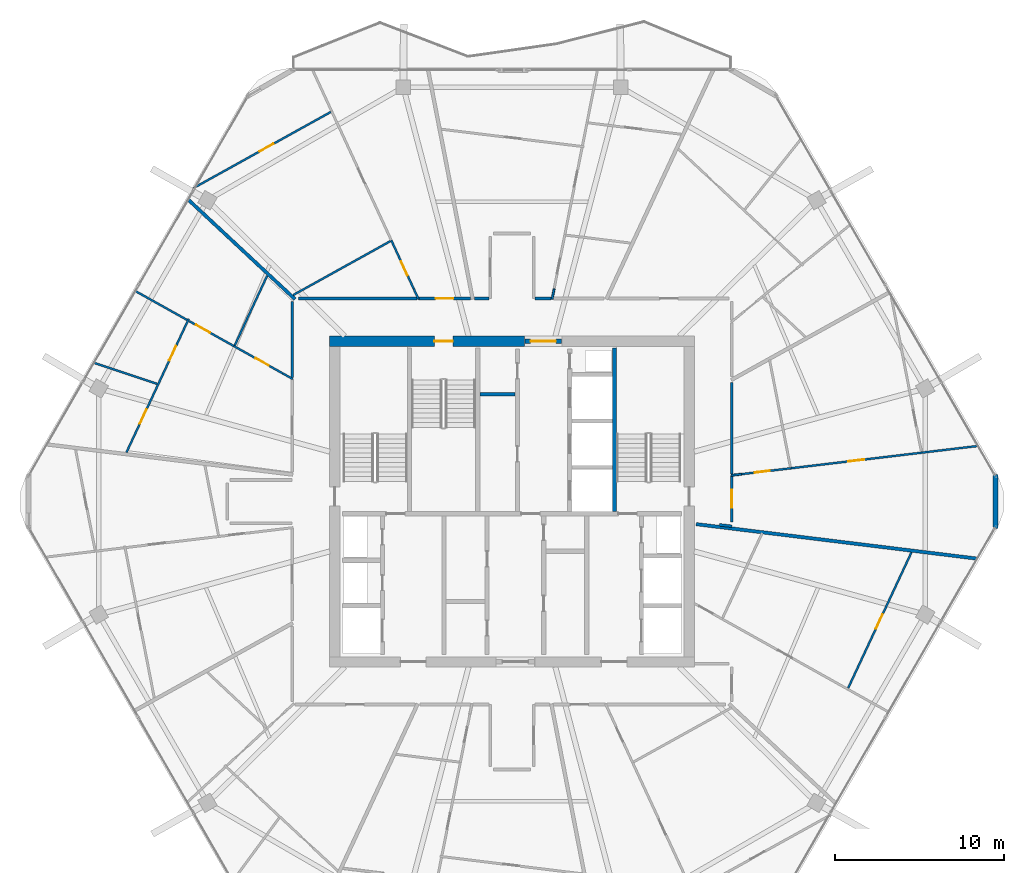
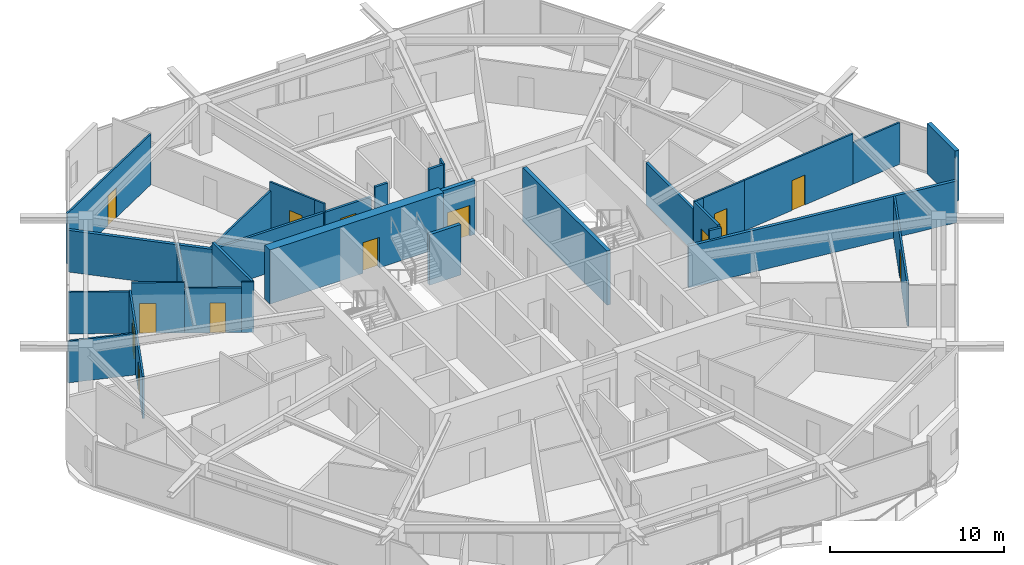
# One storey, part 22 of 27: 32 walls, 13 doors, 13 openings.
"""IFC4 building model written with IfcOpenShell, lengths in metres."""

from ifc_helpers import new_model, si_unit, direction, frame, frame_2d, origin, place, context, subcontext, project, spatial, rectangle, extrude, material, layer, layer_set, type_object, element, fill, save


model = new_model("IFC4")

# Units and contexts
model_context = context("Model", 3, precision=1e-05, world=origin(), true_north=direction((0.0, 1.0)))
body_context = subcontext(model_context, "Body", "Model", "MODEL_VIEW")
ifc_project = project(units=[si_unit("LENGTHUNIT", "METRE"), si_unit("AREAUNIT", "SQUARE_METRE"), si_unit("VOLUMEUNIT", "CUBIC_METRE"), si_unit("PLANEANGLEUNIT", "RADIAN"), si_unit("MASSUNIT", "GRAM", prefix="KILO")], contexts=[model_context])

# Site, building, storey
site_placement = place(None, origin())
site = spatial("IfcSite", under=ifc_project, at=site_placement, CompositionType="ELEMENT")
building_placement = place(site_placement, origin())
building = spatial("IfcBuilding", under=site, at=building_placement, Name="Zuhravey Tower", CompositionType="ELEMENT")
storey_placement = place(building_placement, frame((0.0, 0.0, 265.39990234375)))
storey = spatial("IfcBuildingStorey", under=building, at=storey_placement, Name="L67", CompositionType="ELEMENT", Elevation=265.39990234375)

# Wall, opening, door
ifc_material_1 = material(Name="Concrete C50/60", Category="concrete")
ifc_layer_1 = layer(ifc_material_1, 0.60009765625)
ifc_layer_set_1 = layer_set([ifc_layer_1], Name="Concrete C50/60")
wall_type_1 = type_object("IfcWallType", Name="Core Shear Wall 600", PredefinedType="SHEAR", material=ifc_layer_set_1)
wall_1_placement = place(storey_placement, frame((36.75, 41.5, 0.0), z_axis=(0.0, 0.0, 1.0), x_axis=(-1.0, 0.0, 0.0)))
wall_1 = element("IfcWall", 1, at=wall_1_placement, inside=storey, type_object=wall_type_1, Name="L67 North-West Core Shear Wall CW60", PredefinedType="SHEAR", context=body_context, shape_type="SweptSolid", body=[
    extrude(rectangle(XDim=11.550048828125, YDim=0.60009765625, at=frame_2d((5.77490234375, 0.0))), origin(), (0.0, 0.0, 1.0), 3.800048828125),
])
opening_1_placement = place(wall_1_placement, frame((4.25, 0.0, 0.0)))
opening_1 = element("IfcOpeningElement", 2, at=opening_1_placement, cuts=wall_1, Name="Opening STD1", PredefinedType="OPENING", context=body_context, shape_type="SweptSolid", body=[
    extrude(rectangle(XDim=1.10009765625, YDim=2.14990234375, at=frame_2d((0.550048828125, 1.074951171875))), frame((0.0, 0.31201171875, 0.0), z_axis=(0.0, -1.0, 0.0), x_axis=(1.0, 0.0, 0.0)), (0.0, 0.0, 1.0), 0.6240234375),
])
ifc_material_2 = material(Name="Galvanised fire-rated steel leaf", Category="steel")
door_type_1 = type_object("IfcDoorType", Name="Protected Stair Fire Door 1100x2150", OperationType="NOTDEFINED", PredefinedType="USERDEFINED", material=ifc_material_2)
door_1_placement = place(opening_1_placement, origin())
door_1 = element("IfcDoor", 3, at=door_1_placement, inside=storey, type_object=door_type_1, Name="L67 Stair ST3 Door", ObjectType="EXITDOOR", OperationType="SINGLE_SWING_RIGHT", OverallHeight=2.14990234375, OverallWidth=1.10009765625, PredefinedType="USERDEFINED", context=body_context, shape_type="SweptSolid", body=[
    extrude(rectangle(XDim=1.10009765625, YDim=2.14990234375, at=frame_2d((0.550048828125, 1.074951171875))), frame((0.0, 0.02490234375, 0.0), z_axis=(0.0, -1.0, 0.0), x_axis=(1.0, 0.0, 0.0)), (0.0, 0.0, 1.0), 0.050048828125),
])
fill(opening_1, door_1)

ifc_material_3 = material(Name="Gypsum fire-rated stud partition")
ifc_layer_2 = layer(ifc_material_3, 0.159912109375)
ifc_layer_set_2 = layer_set([ifc_layer_2], Name="Gypsum fire-rated stud partition")
wall_type_2 = type_object("IfcWallType", Name="Corridor Fire Partition 160", PredefinedType="PARTITIONING", material=ifc_layer_set_2)
wall_2_placement = place(storey_placement, frame((49.030029296875, 30.800048828125, 0.0), z_axis=(0.0, 0.0, 1.0), x_axis=(0.0, 1.0, 0.0)))
wall_2 = element("IfcWall", 4, at=wall_2_placement, inside=storey, type_object=wall_type_2, Name="L67 IW16 Partition 054", PredefinedType="PARTITIONING", context=body_context, shape_type="SweptSolid", body=[
    extrude(rectangle(XDim=2.733642578125, YDim=0.159912109375, at=frame_2d((1.36669921875, 0.0))), origin(), (0.0, 0.0, 1.0), 3.550048828125),
])
opening_2_placement = place(wall_2_placement, frame((0.841796875, 0.0, 0.0)))
opening_2 = element("IfcOpeningElement", 5, at=opening_2_placement, cuts=wall_2, Name="Opening APD1", PredefinedType="OPENING", context=body_context, shape_type="SweptSolid", body=[
    extrude(rectangle(XDim=1.050048828125, YDim=2.14990234375, at=frame_2d((0.52490234375, 1.074951171875))), frame((0.0, 0.092041015625, 0.0), z_axis=(0.0, -1.0, 0.0), x_axis=(1.0, 0.0, 0.0)), (0.0, 0.0, 1.0), 0.183837890625),
])
ifc_material_4 = material(Name="Solid-core oak fire-rated leaf")
door_type_2 = type_object("IfcDoorType", Name="Apartment Entrance Fire Door 1050x2150", OperationType="NOTDEFINED", PredefinedType="DOOR", material=ifc_material_4)
door_2_placement = place(opening_2_placement, frame((1.050048828125, 0.0, 0.0), z_axis=(0.0, 0.0, 1.0), x_axis=(-1.0, 0.0, 0.0)))
door_2 = element("IfcDoor", 6, at=door_2_placement, inside=storey, type_object=door_type_2, Name="L67 Door 054.1", OperationType="SINGLE_SWING_LEFT", OverallHeight=2.14990234375, OverallWidth=1.050048828125, PredefinedType="DOOR", context=body_context, shape_type="SweptSolid", body=[
    extrude(rectangle(XDim=1.050048828125, YDim=2.14990234375, at=frame_2d((0.52490234375, 1.074951171875))), frame((0.0, 0.02490234375, 0.0), z_axis=(0.0, -1.0, 0.0), x_axis=(1.0, 0.0, 0.0)), (0.0, 0.0, 1.0), 0.050048828125),
])
fill(opening_2, door_2)

wall_3_placement = place(storey_placement, frame((33.531982421875, 44.030029296875, 0.0), z_axis=(0.0, 0.0, 1.0), x_axis=(-1.0, 0.0, 0.0)))
wall_3 = element("IfcWall", 7, at=wall_3_placement, inside=storey, type_object=wall_type_2, Name="L67 IW16 Partition 069", PredefinedType="PARTITIONING", context=body_context, shape_type="SweptSolid", body=[
    extrude(rectangle(XDim=3.068603515625, YDim=0.159912109375, at=frame_2d((1.5341796875, 0.0))), origin(), (0.0, 0.0, 1.0), 2.9501953125),
])
opening_3_placement = place(wall_3_placement, frame((1.00927734375, 0.0, 0.0)))
opening_3 = element("IfcOpeningElement", 8, at=opening_3_placement, cuts=wall_3, Name="Opening APD1", PredefinedType="OPENING", context=body_context, shape_type="SweptSolid", body=[
    extrude(rectangle(XDim=1.050048828125, YDim=2.14990234375, at=frame_2d((0.52490234375, 1.074951171875))), frame((0.0, 0.092041015625, 0.0), z_axis=(0.0, -1.0, 0.0), x_axis=(1.0, 0.0, 0.0)), (0.0, 0.0, 1.0), 0.183837890625),
])
door_3_placement = place(opening_3_placement, frame((1.050048828125, 0.0, 0.0), z_axis=(0.0, 0.0, 1.0), x_axis=(-1.0, 0.0, 0.0)))
door_3 = element("IfcDoor", 9, at=door_3_placement, inside=storey, type_object=door_type_2, Name="L67 Door 069.1", OperationType="SINGLE_SWING_LEFT", OverallHeight=2.14990234375, OverallWidth=1.050048828125, PredefinedType="DOOR", context=body_context, shape_type="SweptSolid", body=[
    extrude(rectangle(XDim=1.050048828125, YDim=2.14990234375, at=frame_2d((0.52490234375, 1.074951171875))), frame((0.0, 0.02490234375, 0.0), z_axis=(0.0, -1.0, 0.0), x_axis=(1.0, 0.0, 0.0)), (0.0, 0.0, 1.0), 0.050048828125),
])
fill(opening_3, door_3)

# Walls
wall_4_placement = place(storey_placement, frame((22.969970703125, 43.85009765625, 0.0), z_axis=(0.0, 0.0, 1.0), x_axis=(0.0, -1.0, 0.0)))
element("IfcWall", 10, at=wall_4_placement, inside=storey, type_object=wall_type_2, Name="L67 IW16 Partition 113", PredefinedType="PARTITIONING", context=body_context, shape_type="SweptSolid", body=[
    extrude(rectangle(XDim=4.489990234375, YDim=0.159912109375, at=frame_2d((2.2451171875, 0.0))), origin(), (0.0, 0.0, 1.0), 3.550048828125),
])
wall_5_placement = place(storey_placement, frame((49.030029296875, 30.53564453125, 0.0), z_axis=(0.0, 0.0, 1.0), x_axis=(-0.993568487463, 0.113232772287, 0.0)))
element("IfcWall", 11, at=wall_5_placement, inside=storey, type_object=wall_type_2, Name="L67 IW16 Partition 125", PredefinedType="PARTITIONING", context=body_context, shape_type="SweptSolid", body=[
    extrude(rectangle(XDim=0.74609375, YDim=0.159912109375, at=frame_2d((0.373046875, 0.0))), origin(), (0.0, 0.0, 1.0), 3.550048828125),
])
wall_6_placement = place(storey_placement, frame((49.030029296875, 33.622314453125, 0.0), z_axis=(0.0, 0.0, 1.0), x_axis=(0.0, 1.0, 0.0)))
element("IfcWall", 12, at=wall_6_placement, inside=storey, type_object=wall_type_2, Name="L67 IW16 Partition 126", PredefinedType="PARTITIONING", context=body_context, shape_type="SweptSolid", body=[
    extrude(rectangle(XDim=5.4296875, YDim=0.159912109375, at=frame_2d((2.71484375, 0.0))), origin(), (0.0, 0.0, 1.0), 2.9501953125),
])
wall_7_placement = place(storey_placement, frame((38.312744140625, 44.030029296875, 0.0), z_axis=(0.0, 0.0, 1.0), x_axis=(-1.0, 0.0, 0.0)))
element("IfcWall", 13, at=wall_7_placement, inside=storey, type_object=wall_type_2, Name="L67 IW16 Partition 131", PredefinedType="PARTITIONING", context=body_context, shape_type="SweptSolid", body=[
    extrude(rectangle(XDim=0.94482421875, YDim=0.159912109375, at=frame_2d((0.472412109375, 0.0))), origin(), (0.0, 0.0, 1.0), 3.550048828125),
])
wall_8_placement = place(storey_placement, frame((34.632080078125, 44.030029296875, 0.0), z_axis=(0.0, 0.0, 1.0), x_axis=(-1.0, 0.0, 0.0)))
element("IfcWall", 14, at=wall_8_placement, inside=storey, type_object=wall_type_2, Name="L67 IW16 Partition 132", PredefinedType="PARTITIONING", context=body_context, shape_type="SweptSolid", body=[
    extrude(rectangle(XDim=0.84130859375, YDim=0.159912109375, at=frame_2d((0.420654296875, 0.0))), origin(), (0.0, 0.0, 1.0), 3.550048828125),
])
wall_9_placement = place(storey_placement, frame((30.366455078125, 44.030029296875, 0.0), z_axis=(0.0, 0.0, 1.0), x_axis=(-1.0, 0.0, 0.0)))
element("IfcWall", 15, at=wall_9_placement, inside=storey, type_object=wall_type_2, Name="L67 IW16 Partition 134", PredefinedType="PARTITIONING", context=body_context, shape_type="SweptSolid", body=[
    extrude(rectangle(XDim=7.014404296875, YDim=0.159912109375, at=frame_2d((3.50732421875, 0.0))), origin(), (0.0, 0.0, 1.0), 2.9501953125),
])
ifc_material_5 = material(Name="Precast concrete C40/50", Category="concrete")
ifc_layer_3 = layer(ifc_material_5, 0.280029296875)
ifc_layer_set_3 = layer_set([ifc_layer_3], Name="Precast concrete C40/50")
wall_type_3 = type_object("IfcWallType", Name="Crown Architectural Wall 280", PredefinedType="SOLIDWALL", material=ifc_layer_set_3)
wall_10_placement = place(storey_placement, frame((64.64501953125, 33.607421875, 0.0), z_axis=(0.0, 0.0, 1.0), x_axis=(0.0, -1.0, 0.0)))
element("IfcWall", 16, at=wall_10_placement, inside=storey, type_object=wall_type_3, Name="L67 Rounded Corner Closure Wall EW28-12", PredefinedType="SOLIDWALL", context=body_context, shape_type="SweptSolid", body=[
    extrude(rectangle(XDim=3.21484375, YDim=0.280029296875, at=frame_2d((1.607421875, 0.0))), origin(), (0.0, 0.0, 1.0), 3.550048828125),
])

# Wall, opening, door
ifc_layer_4 = layer(ifc_material_1, 0.25)
ifc_layer_set_4 = layer_set([ifc_layer_4], Name="Concrete C50/60")
wall_type_4 = type_object("IfcWallType", Name="Firefighting Shaft & Stair Wall 250", PredefinedType="SOLIDWALL", material=ifc_layer_set_4)
wall_11_placement = place(storey_placement, frame((36.760009765625, 41.5, 0.0), z_axis=(0.0, 0.0, 1.0), x_axis=(1.0, 0.0, 0.0)))
wall_11 = element("IfcWall", 17, at=wall_11_placement, inside=storey, type_object=wall_type_4, Name="L67 FW25 Shaft Wall 002", PredefinedType="SOLIDWALL", context=body_context, shape_type="SweptSolid", body=[
    extrude(rectangle(XDim=2.179931640625, YDim=0.25, at=frame_2d((1.08984375, 0.0))), origin(), (0.0, 0.0, 1.0), 3.800048828125),
])
opening_4_placement = place(wall_11_placement, frame((0.340087890625, 0.0, 0.0)))
opening_4 = element("IfcOpeningElement", 18, at=opening_4_placement, cuts=wall_11, Name="Opening FFD1", PredefinedType="OPENING", context=body_context, shape_type="SweptSolid", body=[
    extrude(rectangle(XDim=1.5, YDim=2.14990234375, at=frame_2d((0.75, 1.074951171875))), frame((0.0, 0.136962890625, 0.0), z_axis=(0.0, -1.0, 0.0), x_axis=(1.0, 0.0, 0.0)), (0.0, 0.0, 1.0), 0.27392578125),
])
door_type_3 = type_object("IfcDoorType", Name="Firefighting Lobby Double Door 1500x2150", OperationType="DOUBLE_DOOR_SINGLE_SWING", PredefinedType="DOOR", material=ifc_material_2)
door_4_placement = place(opening_4_placement, origin())
door_4 = element("IfcDoor", 19, at=door_4_placement, inside=storey, type_object=door_type_3, Name="L67 North Lift Lobby Exit Door", OperationType="DOUBLE_DOOR_SINGLE_SWING", OverallHeight=2.14990234375, OverallWidth=1.5, PredefinedType="DOOR", context=body_context, shape_type="SweptSolid", body=[
    extrude(rectangle(XDim=1.5, YDim=2.14990234375, at=frame_2d((0.75, 1.074951171875))), frame((0.0, 0.02490234375, 0.0), z_axis=(0.0, -1.0, 0.0), x_axis=(1.0, 0.0, 0.0)), (0.0, 0.0, 1.0), 0.050048828125),
])
fill(opening_4, door_4)

# Walls
wall_12_placement = place(storey_placement, frame((42.074951171875, 31.39990234375, 0.0), z_axis=(0.0, 0.0, 1.0), x_axis=(0.0, 1.0, 0.0)))
element("IfcWall", 20, at=wall_12_placement, inside=storey, type_object=wall_type_4, Name="L67 FW25 Shaft Wall 006", PredefinedType="SOLIDWALL", context=body_context, shape_type="SweptSolid", body=[
    extrude(rectangle(XDim=9.7001953125, YDim=0.25, at=frame_2d((4.85009765625, 0.0))), origin(), (0.0, 0.0, 1.0), 3.800048828125),
])
ifc_material_6 = material(Name="Gypsum double-stud party assembly")
ifc_layer_5 = layer(ifc_material_6, 0.199951171875)
ifc_layer_set_5 = layer_set([ifc_layer_5], Name="Gypsum double-stud party assembly")
wall_type_5 = type_object("IfcWallType", Name="Inter-Tenancy Party Wall 200", PredefinedType="PARTITIONING", material=ifc_layer_set_5)
wall_13_placement = place(storey_placement, frame((23.142578125, 43.989501953125, 0.0), z_axis=(0.0, 0.0, 1.0), x_axis=(-0.731342217011, 0.682010675589, 0.0)))
element("IfcWall", 21, at=wall_13_placement, inside=storey, type_object=wall_type_5, Name="L67 IW20 Partition 074", PredefinedType="PARTITIONING", context=body_context, shape_type="SweptSolid", body=[
    extrude(rectangle(XDim=8.65576171875, YDim=0.199951171875, at=frame_2d((4.327880859375, 0.0))), origin(), (0.0, 0.0, 1.0), 2.93017578125),
])
wall_14_placement = place(storey_placement, frame((46.913330078125, 30.659912109375, 0.0), z_axis=(0.0, 0.0, 1.0), x_axis=(0.992546420308, -0.121867155269, 0.0)))
element("IfcWall", 22, at=wall_14_placement, inside=storey, type_object=wall_type_5, Name="L67 IW20 Partition 097", PredefinedType="PARTITIONING", context=body_context, shape_type="SweptSolid", body=[
    extrude(rectangle(XDim=16.77587890625, YDim=0.199951171875, at=frame_2d((8.387939453125, 0.0))), origin(), (0.0, 0.0, 1.0), 2.93017578125),
])
ifc_material_7 = material(Name="Gypsum acoustic stud assembly")
ifc_layer_6 = layer(ifc_material_7, 0.219970703125)
ifc_layer_set_6 = layer_set([ifc_layer_6], Name="Gypsum acoustic stud assembly")
wall_type_6 = type_object("IfcWallType", Name="School Acoustic Compartment Wall 220", PredefinedType="PARTITIONING", material=ifc_layer_set_6)
wall_15_placement = place(storey_placement, frame((34.10791015625, 38.35009765625, 0.0), z_axis=(0.0, 0.0, 1.0), x_axis=(1.0, 0.0, 0.0)))
element("IfcWall", 23, at=wall_15_placement, inside=storey, type_object=wall_type_6, Name="L67 IW22 Partition 070", PredefinedType="PARTITIONING", context=body_context, shape_type="SweptSolid", body=[
    extrude(rectangle(XDim=2.083984375, YDim=0.219970703125, at=frame_2d((1.0419921875, 0.0))), origin(), (0.0, 0.0, 1.0), 3.550048828125),
])

# Wall, openings, doors
ifc_material_8 = material(Name="Gypsum metal-stud partition")
ifc_layer_7 = layer(ifc_material_8, 0.1201171875)
ifc_layer_set_7 = layer_set([ifc_layer_7], Name="Gypsum metal-stud partition")
wall_type_7 = type_object("IfcWallType", Name="Unit Internal Partition 120", PredefinedType="PARTITIONING", material=ifc_layer_set_7)
wall_16_placement = place(storey_placement, frame((16.843017578125, 42.821044921875, 0.0), z_axis=(0.0, 0.0, 1.0), x_axis=(-0.422622187682, -0.90630595633, 0.0)))
wall_16 = element("IfcWall", 24, at=wall_16_placement, inside=storey, type_object=wall_type_7, Name="L67 IW12 Partition 021", PredefinedType="PARTITIONING", context=body_context, shape_type="SweptSolid", body=[
    extrude(rectangle(XDim=8.732177734375, YDim=0.1201171875, at=frame_2d((4.3662109375, 0.0))), origin(), (0.0, 0.0, 1.0), 2.9501953125),
])
opening_5_placement = place(wall_16_placement, frame((1.780029296875, 0.0, 0.0)))
opening_5 = element("IfcOpeningElement", 25, at=opening_5_placement, cuts=wall_16, Name="Opening IND1", PredefinedType="OPENING", context=body_context, shape_type="SweptSolid", body=[
    extrude(rectangle(XDim=0.949951171875, YDim=2.10009765625, at=frame_2d((0.47509765625, 1.050048828125))), frame((0.0, 0.072021484375, 0.0), z_axis=(0.0, -1.0, 0.0), x_axis=(1.0, 0.0, 0.0)), (0.0, 0.0, 1.0), 0.14404296875),
])
opening_6_placement = place(wall_16_placement, frame((5.905517578125, 0.0, 0.0)))
opening_6 = element("IfcOpeningElement", 26, at=opening_6_placement, cuts=wall_16, Name="Opening IND1", PredefinedType="OPENING", context=body_context, shape_type="SweptSolid", body=[
    extrude(rectangle(XDim=0.949951171875, YDim=2.10009765625, at=frame_2d((0.47509765625, 1.050048828125))), frame((0.0, 0.072021484375, 0.0), z_axis=(0.0, -1.0, 0.0), x_axis=(1.0, 0.0, 0.0)), (0.0, 0.0, 1.0), 0.14404296875),
])
ifc_material_9 = material(Name="Painted engineered timber leaf", Category="wood")
door_type_4 = type_object("IfcDoorType", Name="Internal Room & Bedroom Door 950x2100", OperationType="NOTDEFINED", PredefinedType="DOOR", material=ifc_material_9)
door_5_placement = place(opening_5_placement, frame((0.949951171875, 0.0, 0.0), z_axis=(0.0, 0.0, 1.0), x_axis=(-1.0, 0.0, 0.0)))
door_5 = element("IfcDoor", 27, at=door_5_placement, inside=storey, type_object=door_type_4, Name="Apartment L67-01 Family Study Door", OperationType="SINGLE_SWING_RIGHT", OverallHeight=2.10009765625, OverallWidth=0.949951171875, PredefinedType="DOOR", context=body_context, shape_type="SweptSolid", body=[
    extrude(rectangle(XDim=0.949951171875, YDim=2.10009765625, at=frame_2d((0.47509765625, 1.050048828125))), frame((0.0, 0.02490234375, 0.0), z_axis=(0.0, -1.0, 0.0), x_axis=(1.0, 0.0, 0.0)), (0.0, 0.0, 1.0), 0.050048828125),
])
fill(opening_5, door_5)
door_6_placement = place(opening_6_placement, frame((0.949951171875, 0.0, 0.0), z_axis=(0.0, 0.0, 1.0), x_axis=(-1.0, 0.0, 0.0)))
door_6 = element("IfcDoor", 28, at=door_6_placement, inside=storey, type_object=door_type_4, Name="Apartment L67-01 Dining Room Door", OperationType="SINGLE_SWING_LEFT", OverallHeight=2.10009765625, OverallWidth=0.949951171875, PredefinedType="DOOR", context=body_context, shape_type="SweptSolid", body=[
    extrude(rectangle(XDim=0.949951171875, YDim=2.10009765625, at=frame_2d((0.47509765625, 1.050048828125))), frame((0.0, 0.02490234375, 0.0), z_axis=(0.0, -1.0, 0.0), x_axis=(1.0, 0.0, 0.0)), (0.0, 0.0, 1.0), 0.050048828125),
])
fill(opening_6, door_6)

# Wall, opening, door
wall_17_placement = place(storey_placement, frame((22.39990234375, 39.600830078125, 0.0), z_axis=(0.0, 0.0, 1.0), x_axis=(-0.8729286445, 0.487847908279, 0.0)))
wall_17 = element("IfcWall", 29, at=wall_17_placement, inside=storey, type_object=wall_type_7, Name="L67 IW12 Partition 022", PredefinedType="PARTITIONING", context=body_context, shape_type="SweptSolid", body=[
    extrude(rectangle(XDim=3.29736328125, YDim=0.1201171875, at=frame_2d((1.648681640625, 0.0))), origin(), (0.0, 0.0, 1.0), 3.150146484375),
])
opening_7_placement = place(wall_17_placement, frame((0.934814453125, 0.0, 0.0)))
opening_7 = element("IfcOpeningElement", 30, at=opening_7_placement, cuts=wall_17, Name="Opening WCD1", PredefinedType="OPENING", context=body_context, shape_type="SweptSolid", body=[
    extrude(rectangle(XDim=0.89990234375, YDim=2.10009765625, at=frame_2d((0.449951171875, 1.050048828125))), frame((0.0, 0.072021484375, 0.0), z_axis=(0.0, -1.0, 0.0), x_axis=(1.0, 0.0, 0.0)), (0.0, 0.0, 1.0), 0.14404296875),
])
ifc_material_10 = material(Name="Moisture-resistant timber leaf", Category="wood")
door_type_5 = type_object("IfcDoorType", Name="Bathroom & WC Internal Door 900x2100", OperationType="NOTDEFINED", PredefinedType="DOOR", material=ifc_material_10)
door_7_placement = place(opening_7_placement, frame((0.89990234375, 0.0, 0.0), z_axis=(0.0, 0.0, 1.0), x_axis=(-1.0, 0.0, 0.0)))
door_7 = element("IfcDoor", 31, at=door_7_placement, inside=storey, type_object=door_type_5, Name="Apartment L67-01 Bathroom Door", OperationType="SINGLE_SWING_RIGHT", OverallHeight=2.10009765625, OverallWidth=0.89990234375, PredefinedType="DOOR", context=body_context, shape_type="SweptSolid", body=[
    extrude(rectangle(XDim=0.89990234375, YDim=2.10009765625, at=frame_2d((0.449951171875, 1.050048828125))), frame((0.0, 0.02490234375, 0.0), z_axis=(0.0, -1.0, 0.0), x_axis=(1.0, 0.0, 0.0)), (0.0, 0.0, 1.0), 0.050048828125),
])
fill(opening_7, door_7)

wall_18_placement = place(storey_placement, frame((19.521484375, 41.20947265625, 0.0), z_axis=(0.0, 0.0, 1.0), x_axis=(-0.87290035316, 0.487898527824, 0.0)))
wall_18 = element("IfcWall", 32, at=wall_18_placement, inside=storey, type_object=wall_type_7, Name="L67 IW12 Partition 023", PredefinedType="PARTITIONING", context=body_context, shape_type="SweptSolid", body=[
    extrude(rectangle(XDim=3.048828125, YDim=0.1201171875, at=frame_2d((1.5244140625, 0.0))), origin(), (0.0, 0.0, 1.0), 3.550048828125),
])
opening_8_placement = place(wall_18_placement, frame((1.6328125, 0.0, 0.0)))
opening_8 = element("IfcOpeningElement", 33, at=opening_8_placement, cuts=wall_18, Name="Opening IND1", PredefinedType="OPENING", context=body_context, shape_type="SweptSolid", body=[
    extrude(rectangle(XDim=0.949951171875, YDim=2.10009765625, at=frame_2d((0.47509765625, 1.050048828125))), frame((0.0, 0.072021484375, 0.0), z_axis=(0.0, -1.0, 0.0), x_axis=(1.0, 0.0, 0.0)), (0.0, 0.0, 1.0), 0.14404296875),
])
door_8_placement = place(opening_8_placement, frame((0.949951171875, 0.0, 0.0), z_axis=(0.0, 0.0, 1.0), x_axis=(-1.0, 0.0, 0.0)))
door_8 = element("IfcDoor", 34, at=door_8_placement, inside=storey, type_object=door_type_4, Name="Apartment L67-01 Bedroom 1 Door", OperationType="SINGLE_SWING_LEFT", OverallHeight=2.10009765625, OverallWidth=0.949951171875, PredefinedType="DOOR", context=body_context, shape_type="SweptSolid", body=[
    extrude(rectangle(XDim=0.949951171875, YDim=2.10009765625, at=frame_2d((0.47509765625, 1.050048828125))), frame((0.0, 0.02490234375, 0.0), z_axis=(0.0, -1.0, 0.0), x_axis=(1.0, 0.0, 0.0)), (0.0, 0.0, 1.0), 0.050048828125),
])
fill(opening_8, door_8)

# Wall
wall_19_placement = place(storey_placement, frame((16.740966796875, 42.763427734375, 0.0), z_axis=(0.0, 0.0, 1.0), x_axis=(-0.872910360515, 0.487880623212, 0.0)))
element("IfcWall", 35, at=wall_19_placement, inside=storey, type_object=wall_type_7, Name="L67 IW12 Partition 024", PredefinedType="PARTITIONING", context=body_context, shape_type="SweptSolid", body=[
    extrude(rectangle(XDim=3.50830078125, YDim=0.1201171875, at=frame_2d((1.754150390625, 0.0))), origin(), (0.0, 0.0, 1.0), 2.93017578125),
])

# Wall, opening, door
wall_20_placement = place(storey_placement, frame((55.919677734375, 20.9453125, 0.0), z_axis=(0.0, 0.0, 1.0), x_axis=(0.422606705523, 0.9063131757, 0.0)))
wall_20 = element("IfcWall", 36, at=wall_20_placement, inside=storey, type_object=wall_type_7, Name="L67 IW12 Partition 049", PredefinedType="PARTITIONING", context=body_context, shape_type="SweptSolid", body=[
    extrude(rectangle(XDim=8.87060546875, YDim=0.1201171875, at=frame_2d((4.435302734375, 0.0))), origin(), (0.0, 0.0, 1.0), 2.9501953125),
])
opening_9_placement = place(wall_20_placement, frame((3.876220703125, 0.0, 0.0)))
opening_9 = element("IfcOpeningElement", 37, at=opening_9_placement, cuts=wall_20, Name="Opening IND1", PredefinedType="OPENING", context=body_context, shape_type="SweptSolid", body=[
    extrude(rectangle(XDim=0.949951171875, YDim=2.10009765625, at=frame_2d((0.47509765625, 1.050048828125))), frame((0.0, 0.072021484375, 0.0), z_axis=(0.0, -1.0, 0.0), x_axis=(1.0, 0.0, 0.0)), (0.0, 0.0, 1.0), 0.14404296875),
])
door_9_placement = place(opening_9_placement, frame((0.949951171875, 0.0, 0.0), z_axis=(0.0, 0.0, 1.0), x_axis=(-1.0, 0.0, 0.0)))
door_9 = element("IfcDoor", 38, at=door_9_placement, inside=storey, type_object=door_type_4, Name="Apartment L67-06 Bedroom 1 Door", OperationType="SINGLE_SWING_RIGHT", OverallHeight=2.10009765625, OverallWidth=0.949951171875, PredefinedType="DOOR", context=body_context, shape_type="SweptSolid", body=[
    extrude(rectangle(XDim=0.949951171875, YDim=2.10009765625, at=frame_2d((0.47509765625, 1.050048828125))), frame((0.0, 0.02490234375, 0.0), z_axis=(0.0, -1.0, 0.0), x_axis=(1.0, 0.0, 0.0)), (0.0, 0.0, 1.0), 0.050048828125),
])
fill(opening_9, door_9)

wall_21_placement = place(storey_placement, frame((49.60009765625, 33.62158203125, 0.0), z_axis=(0.0, 0.0, 1.0), x_axis=(0.992962166998, 0.11843198432, 0.0)))
wall_21 = element("IfcWall", 39, at=wall_21_placement, inside=storey, type_object=wall_type_7, Name="L67 IW12 Partition 051", PredefinedType="PARTITIONING", context=body_context, shape_type="SweptSolid", body=[
    extrude(rectangle(XDim=2.9560546875, YDim=0.1201171875, at=frame_2d((1.47802734375, 0.0))), origin(), (0.0, 0.0, 1.0), 3.550048828125),
])
opening_10_placement = place(wall_21_placement, frame((0.79150390625, 0.0, 0.0)))
opening_10 = element("IfcOpeningElement", 40, at=opening_10_placement, cuts=wall_21, Name="Opening WCD1", PredefinedType="OPENING", context=body_context, shape_type="SweptSolid", body=[
    extrude(rectangle(XDim=0.89990234375, YDim=2.10009765625, at=frame_2d((0.449951171875, 1.050048828125))), frame((0.0, 0.072021484375, 0.0), z_axis=(0.0, -1.0, 0.0), x_axis=(1.0, 0.0, 0.0)), (0.0, 0.0, 1.0), 0.14404296875),
])
door_10_placement = place(opening_10_placement, origin())
door_10 = element("IfcDoor", 41, at=door_10_placement, inside=storey, type_object=door_type_5, Name="Apartment L67-07 Bathroom Door", OperationType="SINGLE_SWING_RIGHT", OverallHeight=2.10009765625, OverallWidth=0.89990234375, PredefinedType="DOOR", context=body_context, shape_type="SweptSolid", body=[
    extrude(rectangle(XDim=0.89990234375, YDim=2.10009765625, at=frame_2d((0.449951171875, 1.050048828125))), frame((0.0, 0.02490234375, 0.0), z_axis=(0.0, -1.0, 0.0), x_axis=(1.0, 0.0, 0.0)), (0.0, 0.0, 1.0), 0.050048828125),
])
fill(opening_10, door_10)

wall_22_placement = place(storey_placement, frame((52.535400390625, 33.9716796875, 0.0), z_axis=(0.0, 0.0, 1.0), x_axis=(0.992965116169, 0.118407255145, 0.0)))
wall_22 = element("IfcWall", 42, at=wall_22_placement, inside=storey, type_object=wall_type_7, Name="L67 IW12 Partition 052", PredefinedType="PARTITIONING", context=body_context, shape_type="SweptSolid", body=[
    extrude(rectangle(XDim=7.814453125, YDim=0.1201171875, at=frame_2d((3.9072265625, 0.0))), origin(), (0.0, 0.0, 1.0), 3.550048828125),
])
opening_11_placement = place(wall_22_placement, frame((3.4072265625, 0.0, 0.0)))
opening_11 = element("IfcOpeningElement", 43, at=opening_11_placement, cuts=wall_22, Name="Opening IND1", PredefinedType="OPENING", context=body_context, shape_type="SweptSolid", body=[
    extrude(rectangle(XDim=0.949951171875, YDim=2.10009765625, at=frame_2d((0.47509765625, 1.050048828125))), frame((0.0, 0.072021484375, 0.0), z_axis=(0.0, -1.0, 0.0), x_axis=(1.0, 0.0, 0.0)), (0.0, 0.0, 1.0), 0.14404296875),
])
door_11_placement = place(opening_11_placement, origin())
door_11 = element("IfcDoor", 44, at=door_11_placement, inside=storey, type_object=door_type_4, Name="Apartment L67-07 Home Office Door", OperationType="SINGLE_SWING_LEFT", OverallHeight=2.10009765625, OverallWidth=0.949951171875, PredefinedType="DOOR", context=body_context, shape_type="SweptSolid", body=[
    extrude(rectangle(XDim=0.949951171875, YDim=2.10009765625, at=frame_2d((0.47509765625, 1.050048828125))), frame((0.0, 0.02490234375, 0.0), z_axis=(0.0, -1.0, 0.0), x_axis=(1.0, 0.0, 0.0)), (0.0, 0.0, 1.0), 0.050048828125),
])
fill(opening_11, door_11)

wall_23_placement = place(storey_placement, frame((30.177978515625, 44.60009765625, 0.0), z_axis=(0.0, 0.0, 1.0), x_axis=(-0.419438119549, 0.907783930167, 0.0)))
wall_23 = element("IfcWall", 45, at=wall_23_placement, inside=storey, type_object=wall_type_7, Name="L67 IW12 Partition 066", PredefinedType="PARTITIONING", context=body_context, shape_type="SweptSolid", body=[
    extrude(rectangle(XDim=3.177978515625, YDim=0.1201171875, at=frame_2d((1.5888671875, 0.0))), origin(), (0.0, 0.0, 1.0), 3.550048828125),
])
opening_12_placement = place(wall_23_placement, frame((0.884765625, 0.0, 0.0)))
opening_12 = element("IfcOpeningElement", 46, at=opening_12_placement, cuts=wall_23, Name="Opening WCD1", PredefinedType="OPENING", context=body_context, shape_type="SweptSolid", body=[
    extrude(rectangle(XDim=0.89990234375, YDim=2.10009765625, at=frame_2d((0.449951171875, 1.050048828125))), frame((0.0, 0.072021484375, 0.0), z_axis=(0.0, -1.0, 0.0), x_axis=(1.0, 0.0, 0.0)), (0.0, 0.0, 1.0), 0.14404296875),
])
door_12_placement = place(opening_12_placement, origin())
door_12 = element("IfcDoor", 47, at=door_12_placement, inside=storey, type_object=door_type_5, Name="Apartment L67-10 Bathroom Door", OperationType="SINGLE_SWING_RIGHT", OverallHeight=2.10009765625, OverallWidth=0.89990234375, PredefinedType="DOOR", context=body_context, shape_type="SweptSolid", body=[
    extrude(rectangle(XDim=0.89990234375, YDim=2.10009765625, at=frame_2d((0.449951171875, 1.050048828125))), frame((0.0, 0.02490234375, 0.0), z_axis=(0.0, -1.0, 0.0), x_axis=(1.0, 0.0, 0.0)), (0.0, 0.0, 1.0), 0.050048828125),
])
fill(opening_12, door_12)

wall_24_placement = place(storey_placement, frame((25.260009765625, 55.081787109375, 0.0), z_axis=(0.0, 0.0, 1.0), x_axis=(-0.874617638419, -0.484813352298, 0.0)))
wall_24 = element("IfcWall", 48, at=wall_24_placement, inside=storey, type_object=wall_type_7, Name="L67 IW12 Partition 068", PredefinedType="PARTITIONING", context=body_context, shape_type="SweptSolid", body=[
    extrude(rectangle(XDim=9.32275390625, YDim=0.1201171875, at=frame_2d((4.661376953125, 0.0))), origin(), (0.0, 0.0, 1.0), 3.550048828125),
])
opening_13_placement = place(wall_24_placement, frame((3.882080078125, 0.0, 0.0)))
opening_13 = element("IfcOpeningElement", 49, at=opening_13_placement, cuts=wall_24, Name="Opening IND1", PredefinedType="OPENING", context=body_context, shape_type="SweptSolid", body=[
    extrude(rectangle(XDim=0.949951171875, YDim=2.10009765625, at=frame_2d((0.47509765625, 1.050048828125))), frame((0.0, 0.072021484375, 0.0), z_axis=(0.0, -1.0, 0.0), x_axis=(1.0, 0.0, 0.0)), (0.0, 0.0, 1.0), 0.14404296875),
])
door_13_placement = place(opening_13_placement, frame((0.949951171875, 0.0, 0.0), z_axis=(0.0, 0.0, 1.0), x_axis=(-1.0, 0.0, 0.0)))
door_13 = element("IfcDoor", 50, at=door_13_placement, inside=storey, type_object=door_type_4, Name="Apartment L67-10 Bedroom 1 Door", OperationType="SINGLE_SWING_RIGHT", OverallHeight=2.10009765625, OverallWidth=0.949951171875, PredefinedType="DOOR", context=body_context, shape_type="SweptSolid", body=[
    extrude(rectangle(XDim=0.949951171875, YDim=2.10009765625, at=frame_2d((0.47509765625, 1.050048828125))), frame((0.0, 0.02490234375, 0.0), z_axis=(0.0, -1.0, 0.0), x_axis=(1.0, 0.0, 0.0)), (0.0, 0.0, 1.0), 0.050048828125),
])
fill(opening_13, door_13)

# Walls
wall_25_placement = place(storey_placement, frame((14.97412109375, 38.97412109375, 0.0), z_axis=(0.0, 0.0, 1.0), x_axis=(-0.949166828302, 0.31477346148, 0.0)))
element("IfcWall", 51, at=wall_25_placement, inside=storey, type_object=wall_type_7, Name="L67 IW12 Partition 075", PredefinedType="PARTITIONING", context=body_context, shape_type="SweptSolid", body=[
    extrude(rectangle(XDim=3.979736328125, YDim=0.1201171875, at=frame_2d((1.98974609375, 0.0))), origin(), (0.0, 0.0, 1.0), 2.93017578125),
])
wall_26_placement = place(storey_placement, frame((23.010986328125, 39.25927734375, 0.0), z_axis=(0.0, 0.0, 1.0), x_axis=(-0.872904168108, 0.48789170243, 0.0)))
element("IfcWall", 52, at=wall_26_placement, inside=storey, type_object=wall_type_7, Name="L67 IW12 Partition 076", PredefinedType="PARTITIONING", context=body_context, shape_type="SweptSolid", body=[
    extrude(rectangle(XDim=0.699951171875, YDim=0.1201171875, at=frame_2d((0.35009765625, 0.0))), origin(), (0.0, 0.0, 1.0), 3.550048828125),
])
wall_27_placement = place(storey_placement, frame((21.49365234375, 45.379638671875, 0.0), z_axis=(0.0, 0.0, 1.0), x_axis=(-0.422603236373, -0.906314793329, 0.0)))
element("IfcWall", 53, at=wall_27_placement, inside=storey, type_object=wall_type_7, Name="L67 IW12 Partition 077", PredefinedType="PARTITIONING", context=body_context, shape_type="SweptSolid", body=[
    extrude(rectangle(XDim=4.546630859375, YDim=0.1201171875, at=frame_2d((2.2734375, 0.0))), origin(), (0.0, 0.0, 1.0), 3.150146484375),
])
wall_28_placement = place(storey_placement, frame((48.985107421875, 33.54833984375, 0.0), z_axis=(0.0, 0.0, 1.0), x_axis=(0.992982764492, 0.118259162107, 0.0)))
element("IfcWall", 54, at=wall_28_placement, inside=storey, type_object=wall_type_7, Name="L67 IW12 Partition 098", PredefinedType="PARTITIONING", context=body_context, shape_type="SweptSolid", body=[
    extrude(rectangle(XDim=0.619384765625, YDim=0.1201171875, at=frame_2d((0.3095703125, 0.0))), origin(), (0.0, 0.0, 1.0), 3.550048828125),
])
wall_29_placement = place(storey_placement, frame((60.294921875, 34.89697265625, 0.0), z_axis=(0.0, 0.0, 1.0), x_axis=(0.992966251005, 0.118397738005, 0.0)))
element("IfcWall", 55, at=wall_29_placement, inside=storey, type_object=wall_type_7, Name="L67 IW12 Partition 099", PredefinedType="PARTITIONING", context=body_context, shape_type="SweptSolid", body=[
    extrude(rectangle(XDim=3.3486328125, YDim=0.1201171875, at=frame_2d((1.67431640625, 0.0))), origin(), (0.0, 0.0, 1.0), 2.93017578125),
])
wall_30_placement = place(storey_placement, frame((38.373291015625, 43.985595703125, 0.0), z_axis=(0.0, 0.0, 1.0), x_axis=(0.194092051537, 0.98098332072, 0.0)))
element("IfcWall", 56, at=wall_30_placement, inside=storey, type_object=wall_type_7, Name="L67 IW12 Partition 106", PredefinedType="PARTITIONING", context=body_context, shape_type="SweptSolid", body=[
    extrude(rectangle(XDim=0.62646484375, YDim=0.1201171875, at=frame_2d((0.313232421875, 0.0))), origin(), (0.0, 0.0, 1.0), 3.550048828125),
])
wall_31_placement = place(storey_placement, frame((30.461181640625, 43.9873046875, 0.0), z_axis=(0.0, 0.0, 1.0), x_axis=(-0.419516805105, 0.907747569666, 0.0)))
element("IfcWall", 57, at=wall_31_placement, inside=storey, type_object=wall_type_7, Name="L67 IW12 Partition 110", PredefinedType="PARTITIONING", context=body_context, shape_type="SweptSolid", body=[
    extrude(rectangle(XDim=0.675048828125, YDim=0.1201171875, at=frame_2d((0.33740234375, 0.0))), origin(), (0.0, 0.0, 1.0), 3.550048828125),
])
wall_32_placement = place(storey_placement, frame((28.7958984375, 47.42919921875, 0.0), z_axis=(0.0, 0.0, 1.0), x_axis=(-0.874623780767, -0.484802271155, 0.0)))
element("IfcWall", 58, at=wall_32_placement, inside=storey, type_object=wall_type_7, Name="L67 IW12 Partition 112", PredefinedType="PARTITIONING", context=body_context, shape_type="SweptSolid", body=[
    extrude(rectangle(XDim=6.58544921875, YDim=0.1201171875, at=frame_2d((3.292724609375, 0.0))), origin(), (0.0, 0.0, 1.0), 2.9501953125),
])

save(model, "model.ifc")
